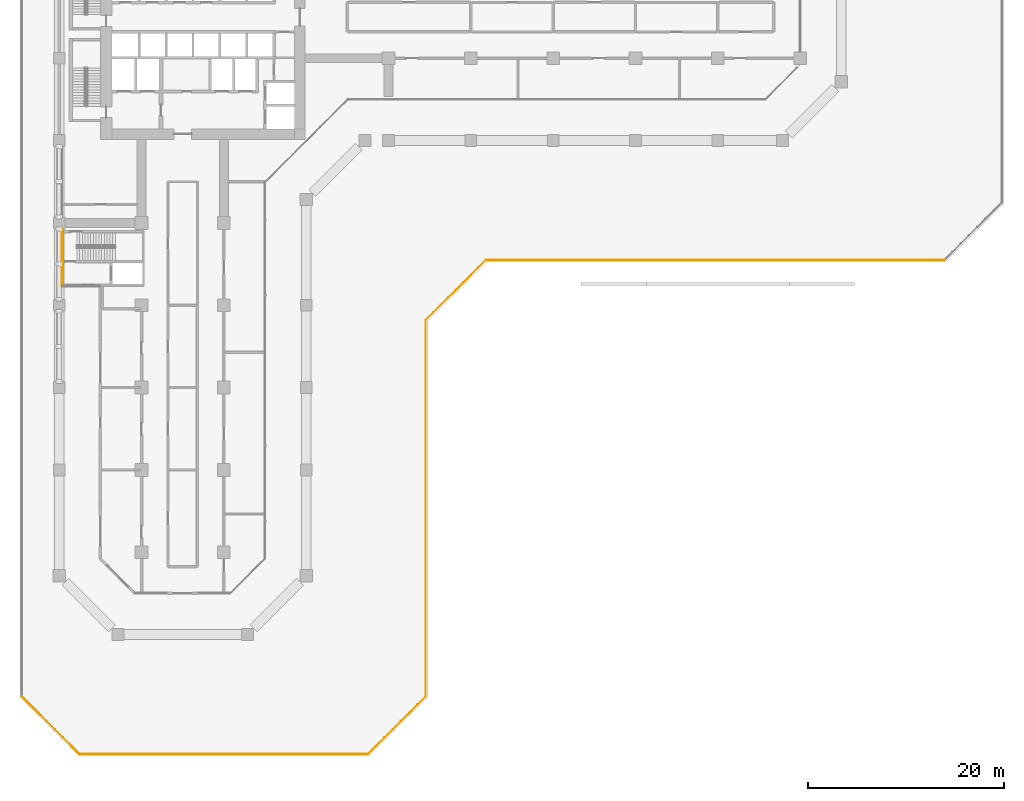
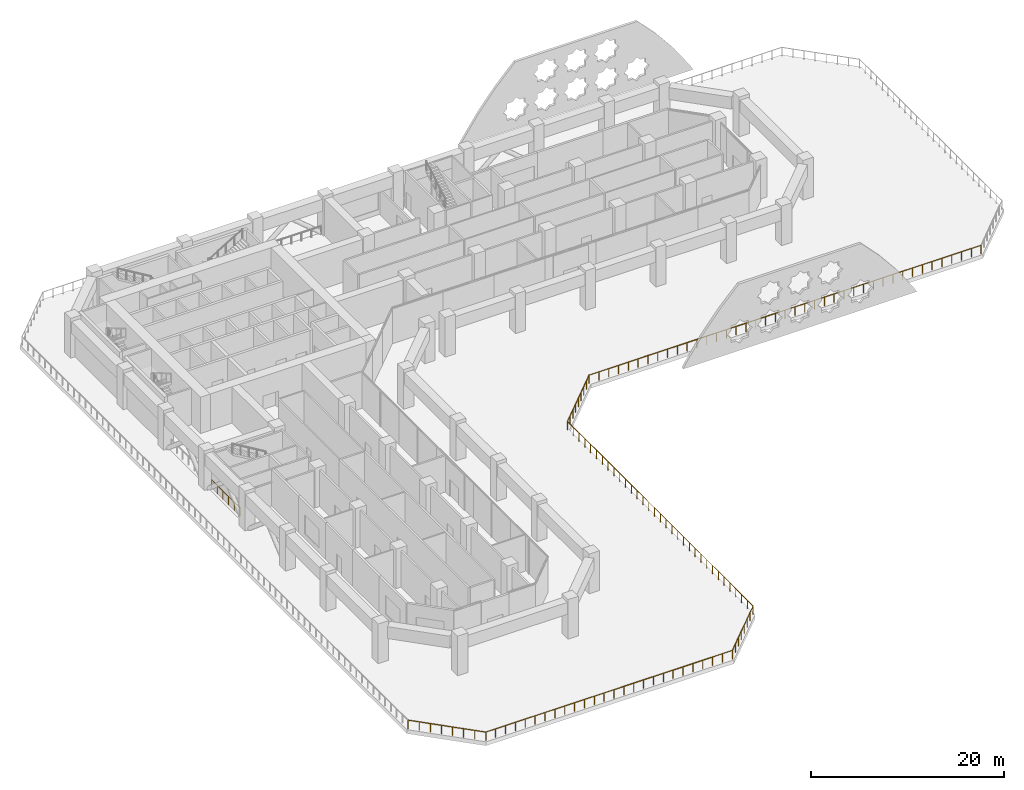
# One storey, part 13 of 19: 2 railings.
"""IFC4 building model written with IfcOpenShell, lengths in metres."""

from ifc_helpers import new_model, si_unit, direction, frame, origin, origin_2d, place, context, subcontext, project, spatial, circle, extrude, material, type_object, element, save


model = new_model("IFC4")

# Units and contexts
model_context = context("Model", 3, precision=1e-05, world=origin(), true_north=direction((0.0, 1.0)))
body_context = subcontext(model_context, "Body", "Model", "MODEL_VIEW")
ifc_project = project(units=[si_unit("LENGTHUNIT", "METRE"), si_unit("AREAUNIT", "SQUARE_METRE"), si_unit("VOLUMEUNIT", "CUBIC_METRE"), si_unit("PLANEANGLEUNIT", "RADIAN"), si_unit("MASSUNIT", "GRAM", prefix="KILO")], contexts=[model_context])

# Site, building, storey
site_placement = place(None, origin())
site = spatial("IfcSite", under=ifc_project, at=site_placement, CompositionType="ELEMENT")
building_placement = place(site_placement, origin())
building = spatial("IfcBuilding", under=site, at=building_placement, Name="Kawkab Arch Medical Tower", CompositionType="ELEMENT")
storey_placement = place(building_placement, frame((0.0, 0.0, 34.199951171875)))
storey = spatial("IfcBuildingStorey", under=building, at=storey_placement, Name="L07", CompositionType="ELEMENT", Elevation=34.199951171875)

# Railings
ifc_material = material(Name="Bronze anodised aluminium guard", Category="aluminium")
railing_type = type_object("IfcRailingType", Name="Loggia and terrace guard 1100", PredefinedType="GUARDRAIL", material=ifc_material)
railing_1_placement = place(storey_placement, frame((0.300048828125, -34.199951171875, 0.0)))
element("IfcRailing", 1, at=railing_1_placement, inside=storey, type_object=railing_type, Name="Band guard L07.R02.4", PredefinedType="GUARDRAIL", context=body_context, shape_type="SweptSolid", body=[
    extrude(circle(Radius=0.02392578125, at=origin_2d()), frame((0.0, 0.0, 1.076171875), z_axis=(0.0, -1.0, 0.0), x_axis=(1.0, 0.0, 0.0)), (0.0, 0.0, 1.0), 5.85009765625),
    extrude(circle(Radius=0.02099609375, at=origin_2d()), origin(), (0.0, 0.0, 1.0), 1.052001953125),
    extrude(circle(Radius=0.02099609375, at=origin_2d()), frame((0.0, -1.169921875, 0.0)), (0.0, 0.0, 1.0), 1.052001953125),
    extrude(circle(Radius=0.02099609375, at=origin_2d()), frame((0.0, -2.340087890625, 0.0)), (0.0, 0.0, 1.0), 1.052001953125),
    extrude(circle(Radius=0.02099609375, at=origin_2d()), frame((0.0, -3.510009765625, 0.0)), (0.0, 0.0, 1.0), 1.052001953125),
    extrude(circle(Radius=0.02099609375, at=origin_2d()), frame((0.0, -4.68017578125, 0.0)), (0.0, 0.0, 1.0), 1.052001953125),
    extrude(circle(Radius=0.02099609375, at=origin_2d()), frame((0.0, -5.85009765625, 0.0)), (0.0, 0.0, 1.0), 1.052001953125),
])
railing_2_placement = place(storey_placement, frame((90.319091796875, -37.39794921875, 0.0)))
element("IfcRailing", 2, at=railing_2_placement, inside=storey, type_object=railing_type, Name="Guard L07.REF-01.1.2", PredefinedType="GUARDRAIL", context=body_context, shape_type="SweptSolid", body=[
    extrude(circle(Radius=0.02392578125, at=origin_2d()), frame((0.0, 0.0, 1.076171875), z_axis=(-0.999999999129, -4.1731655e-05, 0.0), x_axis=(4.1731655e-05, -0.999999999129, 0.0)), (0.0, 0.0, 1.0), 46.802001953125),
    extrude(circle(Radius=0.02392578125, at=origin_2d()), frame((-46.802001953125, -0.001953125, 1.076171875), z_axis=(-0.707106781187, -0.707106781187, 0.0), x_axis=(0.707106781187, -0.707106781187, 0.0)), (0.0, 0.0, 1.0), 8.651123046875),
    extrude(circle(Radius=0.02392578125, at=origin_2d()), frame((-52.919189453125, -6.119140625, 1.076171875), z_axis=(0.0, -1.0, 0.0), x_axis=(1.0, 0.0, 0.0)), (0.0, 0.0, 1.0), 38.39990234375),
    extrude(circle(Radius=0.02392578125, at=origin_2d()), frame((-52.919189453125, -44.51904296875, 1.076171875), z_axis=(-0.707092103765, -0.707121458303, 0.0), x_axis=(0.707121458303, -0.707092103765, 0.0)), (0.0, 0.0, 1.0), 8.31689453125),
    extrude(circle(Radius=0.02392578125, at=origin_2d()), frame((-58.800048828125, -50.400146484375, 1.076171875), z_axis=(-0.999999997799, -6.6351497e-05, 0.0), x_axis=(6.6351497e-05, -0.999999997799, 0.0)), (0.0, 0.0, 1.0), 29.43603515625),
    extrude(circle(Radius=0.02392578125, at=origin_2d()), frame((-88.236083984375, -50.402099609375, 1.076171875), z_axis=(-0.707106781187, 0.707106781187, 0.0), x_axis=(-0.707106781187, -0.707106781187, 0.0)), (0.0, 0.0, 1.0), 8.31982421875),
    extrude(circle(Radius=0.02099609375, at=origin_2d()), origin(), (0.0, 0.0, 1.0), 1.052001953125),
    extrude(circle(Radius=0.02099609375, at=origin_2d()), frame((-1.170166015625, 0.0, 0.0)), (0.0, 0.0, 1.0), 1.052001953125),
    extrude(circle(Radius=0.02099609375, at=origin_2d()), frame((-2.340087890625, 0.0, 0.0)), (0.0, 0.0, 1.0), 1.052001953125),
    extrude(circle(Radius=0.02099609375, at=origin_2d()), frame((-3.51025390625, -0.000244140625, 0.0)), (0.0, 0.0, 1.0), 1.052001953125),
    extrude(circle(Radius=0.02099609375, at=origin_2d()), frame((-4.68017578125, -0.000244140625, 0.0)), (0.0, 0.0, 1.0), 1.052001953125),
    extrude(circle(Radius=0.02099609375, at=origin_2d()), frame((-5.850341796875, -0.000244140625, 0.0)), (0.0, 0.0, 1.0), 1.052001953125),
    extrude(circle(Radius=0.02099609375, at=origin_2d()), frame((-7.020263671875, -0.000244140625, 0.0)), (0.0, 0.0, 1.0), 1.052001953125),
    extrude(circle(Radius=0.02099609375, at=origin_2d()), frame((-8.1904296875, -0.000244140625, 0.0)), (0.0, 0.0, 1.0), 1.052001953125),
    extrude(circle(Radius=0.02099609375, at=origin_2d()), frame((-9.3603515625, -0.00048828125, 0.0)), (0.0, 0.0, 1.0), 1.052001953125),
    extrude(circle(Radius=0.02099609375, at=origin_2d()), frame((-10.530517578125, -0.00048828125, 0.0)), (0.0, 0.0, 1.0), 1.052001953125),
    extrude(circle(Radius=0.02099609375, at=origin_2d()), frame((-11.700439453125, -0.00048828125, 0.0)), (0.0, 0.0, 1.0), 1.052001953125),
    extrude(circle(Radius=0.02099609375, at=origin_2d()), frame((-12.87060546875, -0.00048828125, 0.0)), (0.0, 0.0, 1.0), 1.052001953125),
    extrude(circle(Radius=0.02099609375, at=origin_2d()), frame((-14.04052734375, -0.00048828125, 0.0)), (0.0, 0.0, 1.0), 1.052001953125),
    extrude(circle(Radius=0.02099609375, at=origin_2d()), frame((-15.210693359375, -0.000732421875, 0.0)), (0.0, 0.0, 1.0), 1.052001953125),
    extrude(circle(Radius=0.02099609375, at=origin_2d()), frame((-16.380615234375, -0.000732421875, 0.0)), (0.0, 0.0, 1.0), 1.052001953125),
    extrude(circle(Radius=0.02099609375, at=origin_2d()), frame((-17.55078125, -0.000732421875, 0.0)), (0.0, 0.0, 1.0), 1.052001953125),
    extrude(circle(Radius=0.02099609375, at=origin_2d()), frame((-18.720703125, -0.000732421875, 0.0)), (0.0, 0.0, 1.0), 1.052001953125),
    extrude(circle(Radius=0.02099609375, at=origin_2d()), frame((-19.890869140625, -0.000732421875, 0.0)), (0.0, 0.0, 1.0), 1.052001953125),
    extrude(circle(Radius=0.02099609375, at=origin_2d()), frame((-21.060791015625, -0.0009765625, 0.0)), (0.0, 0.0, 1.0), 1.052001953125),
    extrude(circle(Radius=0.02099609375, at=origin_2d()), frame((-22.23095703125, -0.0009765625, 0.0)), (0.0, 0.0, 1.0), 1.052001953125),
    extrude(circle(Radius=0.02099609375, at=origin_2d()), frame((-23.40087890625, -0.0009765625, 0.0)), (0.0, 0.0, 1.0), 1.052001953125),
    extrude(circle(Radius=0.02099609375, at=origin_2d()), frame((-24.571044921875, -0.0009765625, 0.0)), (0.0, 0.0, 1.0), 1.052001953125),
    extrude(circle(Radius=0.02099609375, at=origin_2d()), frame((-25.7412109375, -0.0009765625, 0.0)), (0.0, 0.0, 1.0), 1.052001953125),
    extrude(circle(Radius=0.02099609375, at=origin_2d()), frame((-26.9111328125, -0.001220703125, 0.0)), (0.0, 0.0, 1.0), 1.052001953125),
    extrude(circle(Radius=0.02099609375, at=origin_2d()), frame((-28.081298828125, -0.001220703125, 0.0)), (0.0, 0.0, 1.0), 1.052001953125),
    extrude(circle(Radius=0.02099609375, at=origin_2d()), frame((-29.251220703125, -0.001220703125, 0.0)), (0.0, 0.0, 1.0), 1.052001953125),
    extrude(circle(Radius=0.02099609375, at=origin_2d()), frame((-30.42138671875, -0.001220703125, 0.0)), (0.0, 0.0, 1.0), 1.052001953125),
    extrude(circle(Radius=0.02099609375, at=origin_2d()), frame((-31.59130859375, -0.001220703125, 0.0)), (0.0, 0.0, 1.0), 1.052001953125),
    extrude(circle(Radius=0.02099609375, at=origin_2d()), frame((-32.761474609375, -0.00146484375, 0.0)), (0.0, 0.0, 1.0), 1.052001953125),
    extrude(circle(Radius=0.02099609375, at=origin_2d()), frame((-33.931396484375, -0.00146484375, 0.0)), (0.0, 0.0, 1.0), 1.052001953125),
    extrude(circle(Radius=0.02099609375, at=origin_2d()), frame((-35.1015625, -0.00146484375, 0.0)), (0.0, 0.0, 1.0), 1.052001953125),
    extrude(circle(Radius=0.02099609375, at=origin_2d()), frame((-36.271484375, -0.00146484375, 0.0)), (0.0, 0.0, 1.0), 1.052001953125),
    extrude(circle(Radius=0.02099609375, at=origin_2d()), frame((-37.441650390625, -0.00146484375, 0.0)), (0.0, 0.0, 1.0), 1.052001953125),
    extrude(circle(Radius=0.02099609375, at=origin_2d()), frame((-38.611572265625, -0.001708984375, 0.0)), (0.0, 0.0, 1.0), 1.052001953125),
    extrude(circle(Radius=0.02099609375, at=origin_2d()), frame((-39.78173828125, -0.001708984375, 0.0)), (0.0, 0.0, 1.0), 1.052001953125),
    extrude(circle(Radius=0.02099609375, at=origin_2d()), frame((-40.95166015625, -0.001708984375, 0.0)), (0.0, 0.0, 1.0), 1.052001953125),
    extrude(circle(Radius=0.02099609375, at=origin_2d()), frame((-42.121826171875, -0.001708984375, 0.0)), (0.0, 0.0, 1.0), 1.052001953125),
    extrude(circle(Radius=0.02099609375, at=origin_2d()), frame((-43.291748046875, -0.001708984375, 0.0)), (0.0, 0.0, 1.0), 1.052001953125),
    extrude(circle(Radius=0.02099609375, at=origin_2d()), frame((-44.4619140625, -0.001953125, 0.0)), (0.0, 0.0, 1.0), 1.052001953125),
    extrude(circle(Radius=0.02099609375, at=origin_2d()), frame((-45.6318359375, -0.001953125, 0.0)), (0.0, 0.0, 1.0), 1.052001953125),
    extrude(circle(Radius=0.02099609375, at=origin_2d()), frame((-46.802001953125, -0.001953125, 0.0)), (0.0, 0.0, 1.0), 1.052001953125),
    extrude(circle(Radius=0.02099609375, at=origin_2d()), frame((-47.566650390625, -0.7666015625, 0.0)), (0.0, 0.0, 1.0), 1.052001953125),
    extrude(circle(Radius=0.02099609375, at=origin_2d()), frame((-48.331298828125, -1.53125, 0.0)), (0.0, 0.0, 1.0), 1.052001953125),
    extrude(circle(Radius=0.02099609375, at=origin_2d()), frame((-49.095947265625, -2.2958984375, 0.0)), (0.0, 0.0, 1.0), 1.052001953125),
    extrude(circle(Radius=0.02099609375, at=origin_2d()), frame((-49.860595703125, -3.060546875, 0.0)), (0.0, 0.0, 1.0), 1.052001953125),
    extrude(circle(Radius=0.02099609375, at=origin_2d()), frame((-50.625244140625, -3.8251953125, 0.0)), (0.0, 0.0, 1.0), 1.052001953125),
    extrude(circle(Radius=0.02099609375, at=origin_2d()), frame((-51.389892578125, -4.58984375, 0.0)), (0.0, 0.0, 1.0), 1.052001953125),
    extrude(circle(Radius=0.02099609375, at=origin_2d()), frame((-52.154541015625, -5.3544921875, 0.0)), (0.0, 0.0, 1.0), 1.052001953125),
    extrude(circle(Radius=0.02099609375, at=origin_2d()), frame((-52.919189453125, -6.119140625, 0.0)), (0.0, 0.0, 1.0), 1.052001953125),
    extrude(circle(Radius=0.02099609375, at=origin_2d()), frame((-52.919189453125, -7.319091796875, 0.0)), (0.0, 0.0, 1.0), 1.052001953125),
    extrude(circle(Radius=0.02099609375, at=origin_2d()), frame((-52.919189453125, -8.51904296875, 0.0)), (0.0, 0.0, 1.0), 1.052001953125),
    extrude(circle(Radius=0.02099609375, at=origin_2d()), frame((-52.919189453125, -9.71923828125, 0.0)), (0.0, 0.0, 1.0), 1.052001953125),
    extrude(circle(Radius=0.02099609375, at=origin_2d()), frame((-52.919189453125, -10.919189453125, 0.0)), (0.0, 0.0, 1.0), 1.052001953125),
    extrude(circle(Radius=0.02099609375, at=origin_2d()), frame((-52.919189453125, -12.119140625, 0.0)), (0.0, 0.0, 1.0), 1.052001953125),
    extrude(circle(Radius=0.02099609375, at=origin_2d()), frame((-52.919189453125, -13.319091796875, 0.0)), (0.0, 0.0, 1.0), 1.052001953125),
    extrude(circle(Radius=0.02099609375, at=origin_2d()), frame((-52.919189453125, -14.51904296875, 0.0)), (0.0, 0.0, 1.0), 1.052001953125),
    extrude(circle(Radius=0.02099609375, at=origin_2d()), frame((-52.919189453125, -15.71923828125, 0.0)), (0.0, 0.0, 1.0), 1.052001953125),
    extrude(circle(Radius=0.02099609375, at=origin_2d()), frame((-52.919189453125, -16.919189453125, 0.0)), (0.0, 0.0, 1.0), 1.052001953125),
    extrude(circle(Radius=0.02099609375, at=origin_2d()), frame((-52.919189453125, -18.119140625, 0.0)), (0.0, 0.0, 1.0), 1.052001953125),
    extrude(circle(Radius=0.02099609375, at=origin_2d()), frame((-52.919189453125, -19.319091796875, 0.0)), (0.0, 0.0, 1.0), 1.052001953125),
    extrude(circle(Radius=0.02099609375, at=origin_2d()), frame((-52.919189453125, -20.51904296875, 0.0)), (0.0, 0.0, 1.0), 1.052001953125),
    extrude(circle(Radius=0.02099609375, at=origin_2d()), frame((-52.919189453125, -21.718994140625, 0.0)), (0.0, 0.0, 1.0), 1.052001953125),
    extrude(circle(Radius=0.02099609375, at=origin_2d()), frame((-52.919189453125, -22.919189453125, 0.0)), (0.0, 0.0, 1.0), 1.052001953125),
    extrude(circle(Radius=0.02099609375, at=origin_2d()), frame((-52.919189453125, -24.119140625, 0.0)), (0.0, 0.0, 1.0), 1.052001953125),
    extrude(circle(Radius=0.02099609375, at=origin_2d()), frame((-52.919189453125, -25.319091796875, 0.0)), (0.0, 0.0, 1.0), 1.052001953125),
    extrude(circle(Radius=0.02099609375, at=origin_2d()), frame((-52.919189453125, -26.51904296875, 0.0)), (0.0, 0.0, 1.0), 1.052001953125),
    extrude(circle(Radius=0.02099609375, at=origin_2d()), frame((-52.919189453125, -27.718994140625, 0.0)), (0.0, 0.0, 1.0), 1.052001953125),
    extrude(circle(Radius=0.02099609375, at=origin_2d()), frame((-52.919189453125, -28.919189453125, 0.0)), (0.0, 0.0, 1.0), 1.052001953125),
    extrude(circle(Radius=0.02099609375, at=origin_2d()), frame((-52.919189453125, -30.119140625, 0.0)), (0.0, 0.0, 1.0), 1.052001953125),
    extrude(circle(Radius=0.02099609375, at=origin_2d()), frame((-52.919189453125, -31.319091796875, 0.0)), (0.0, 0.0, 1.0), 1.052001953125),
    extrude(circle(Radius=0.02099609375, at=origin_2d()), frame((-52.919189453125, -32.51904296875, 0.0)), (0.0, 0.0, 1.0), 1.052001953125),
    extrude(circle(Radius=0.02099609375, at=origin_2d()), frame((-52.919189453125, -33.718994140625, 0.0)), (0.0, 0.0, 1.0), 1.052001953125),
    extrude(circle(Radius=0.02099609375, at=origin_2d()), frame((-52.919189453125, -34.9189453125, 0.0)), (0.0, 0.0, 1.0), 1.052001953125),
    extrude(circle(Radius=0.02099609375, at=origin_2d()), frame((-52.919189453125, -36.119140625, 0.0)), (0.0, 0.0, 1.0), 1.052001953125),
    extrude(circle(Radius=0.02099609375, at=origin_2d()), frame((-52.919189453125, -37.319091796875, 0.0)), (0.0, 0.0, 1.0), 1.052001953125),
    extrude(circle(Radius=0.02099609375, at=origin_2d()), frame((-52.919189453125, -38.51904296875, 0.0)), (0.0, 0.0, 1.0), 1.052001953125),
    extrude(circle(Radius=0.02099609375, at=origin_2d()), frame((-52.919189453125, -39.718994140625, 0.0)), (0.0, 0.0, 1.0), 1.052001953125),
    extrude(circle(Radius=0.02099609375, at=origin_2d()), frame((-52.919189453125, -40.9189453125, 0.0)), (0.0, 0.0, 1.0), 1.052001953125),
    extrude(circle(Radius=0.02099609375, at=origin_2d()), frame((-52.919189453125, -42.119140625, 0.0)), (0.0, 0.0, 1.0), 1.052001953125),
    extrude(circle(Radius=0.02099609375, at=origin_2d()), frame((-52.919189453125, -43.319091796875, 0.0)), (0.0, 0.0, 1.0), 1.052001953125),
    extrude(circle(Radius=0.02099609375, at=origin_2d()), frame((-52.919189453125, -44.51904296875, 0.0)), (0.0, 0.0, 1.0), 1.052001953125),
    extrude(circle(Radius=0.02099609375, at=origin_2d()), frame((-53.75927734375, -45.359130859375, 0.0)), (0.0, 0.0, 1.0), 1.052001953125),
    extrude(circle(Radius=0.02099609375, at=origin_2d()), frame((-54.599365234375, -46.199462890625, 0.0)), (0.0, 0.0, 1.0), 1.052001953125),
    extrude(circle(Radius=0.02099609375, at=origin_2d()), frame((-55.439453125, -47.03955078125, 0.0)), (0.0, 0.0, 1.0), 1.052001953125),
    extrude(circle(Radius=0.02099609375, at=origin_2d()), frame((-56.27978515625, -47.879638671875, 0.0)), (0.0, 0.0, 1.0), 1.052001953125),
    extrude(circle(Radius=0.02099609375, at=origin_2d()), frame((-57.119873046875, -48.7197265625, 0.0)), (0.0, 0.0, 1.0), 1.052001953125),
    extrude(circle(Radius=0.02099609375, at=origin_2d()), frame((-57.9599609375, -49.56005859375, 0.0)), (0.0, 0.0, 1.0), 1.052001953125),
    extrude(circle(Radius=0.02099609375, at=origin_2d()), frame((-58.800048828125, -50.400146484375, 0.0)), (0.0, 0.0, 1.0), 1.052001953125),
    extrude(circle(Radius=0.02099609375, at=origin_2d()), frame((-59.9775390625, -50.400146484375, 0.0)), (0.0, 0.0, 1.0), 1.052001953125),
    extrude(circle(Radius=0.02099609375, at=origin_2d()), frame((-61.155029296875, -50.400390625, 0.0)), (0.0, 0.0, 1.0), 1.052001953125),
    extrude(circle(Radius=0.02099609375, at=origin_2d()), frame((-62.332275390625, -50.400390625, 0.0)), (0.0, 0.0, 1.0), 1.052001953125),
    extrude(circle(Radius=0.02099609375, at=origin_2d()), frame((-63.509765625, -50.400390625, 0.0)), (0.0, 0.0, 1.0), 1.052001953125),
    extrude(circle(Radius=0.02099609375, at=origin_2d()), frame((-64.687255859375, -50.400634765625, 0.0)), (0.0, 0.0, 1.0), 1.052001953125),
    extrude(circle(Radius=0.02099609375, at=origin_2d()), frame((-65.86474609375, -50.400634765625, 0.0)), (0.0, 0.0, 1.0), 1.052001953125),
    extrude(circle(Radius=0.02099609375, at=origin_2d()), frame((-67.042236328125, -50.400634765625, 0.0)), (0.0, 0.0, 1.0), 1.052001953125),
    extrude(circle(Radius=0.02099609375, at=origin_2d()), frame((-68.219482421875, -50.40087890625, 0.0)), (0.0, 0.0, 1.0), 1.052001953125),
    extrude(circle(Radius=0.02099609375, at=origin_2d()), frame((-69.39697265625, -50.40087890625, 0.0)), (0.0, 0.0, 1.0), 1.052001953125),
    extrude(circle(Radius=0.02099609375, at=origin_2d()), frame((-70.574462890625, -50.40087890625, 0.0)), (0.0, 0.0, 1.0), 1.052001953125),
    extrude(circle(Radius=0.02099609375, at=origin_2d()), frame((-71.751953125, -50.401123046875, 0.0)), (0.0, 0.0, 1.0), 1.052001953125),
    extrude(circle(Radius=0.02099609375, at=origin_2d()), frame((-72.929443359375, -50.401123046875, 0.0)), (0.0, 0.0, 1.0), 1.052001953125),
    extrude(circle(Radius=0.02099609375, at=origin_2d()), frame((-74.106689453125, -50.401123046875, 0.0)), (0.0, 0.0, 1.0), 1.052001953125),
    extrude(circle(Radius=0.02099609375, at=origin_2d()), frame((-75.2841796875, -50.401123046875, 0.0)), (0.0, 0.0, 1.0), 1.052001953125),
    extrude(circle(Radius=0.02099609375, at=origin_2d()), frame((-76.461669921875, -50.4013671875, 0.0)), (0.0, 0.0, 1.0), 1.052001953125),
    extrude(circle(Radius=0.02099609375, at=origin_2d()), frame((-77.63916015625, -50.4013671875, 0.0)), (0.0, 0.0, 1.0), 1.052001953125),
    extrude(circle(Radius=0.02099609375, at=origin_2d()), frame((-78.816650390625, -50.4013671875, 0.0)), (0.0, 0.0, 1.0), 1.052001953125),
    extrude(circle(Radius=0.02099609375, at=origin_2d()), frame((-79.993896484375, -50.401611328125, 0.0)), (0.0, 0.0, 1.0), 1.052001953125),
    extrude(circle(Radius=0.02099609375, at=origin_2d()), frame((-81.17138671875, -50.401611328125, 0.0)), (0.0, 0.0, 1.0), 1.052001953125),
    extrude(circle(Radius=0.02099609375, at=origin_2d()), frame((-82.348876953125, -50.401611328125, 0.0)), (0.0, 0.0, 1.0), 1.052001953125),
    extrude(circle(Radius=0.02099609375, at=origin_2d()), frame((-83.5263671875, -50.40185546875, 0.0)), (0.0, 0.0, 1.0), 1.052001953125),
    extrude(circle(Radius=0.02099609375, at=origin_2d()), frame((-84.703857421875, -50.40185546875, 0.0)), (0.0, 0.0, 1.0), 1.052001953125),
    extrude(circle(Radius=0.02099609375, at=origin_2d()), frame((-85.881103515625, -50.40185546875, 0.0)), (0.0, 0.0, 1.0), 1.052001953125),
    extrude(circle(Radius=0.02099609375, at=origin_2d()), frame((-87.05859375, -50.402099609375, 0.0)), (0.0, 0.0, 1.0), 1.052001953125),
    extrude(circle(Radius=0.02099609375, at=origin_2d()), frame((-88.236083984375, -50.402099609375, 0.0)), (0.0, 0.0, 1.0), 1.052001953125),
    extrude(circle(Radius=0.02099609375, at=origin_2d()), frame((-89.076416015625, -49.561767578125, 0.0)), (0.0, 0.0, 1.0), 1.052001953125),
    extrude(circle(Radius=0.02099609375, at=origin_2d()), frame((-89.9169921875, -48.72119140625, 0.0)), (0.0, 0.0, 1.0), 1.052001953125),
    extrude(circle(Radius=0.02099609375, at=origin_2d()), frame((-90.75732421875, -47.880859375, 0.0)), (0.0, 0.0, 1.0), 1.052001953125),
    extrude(circle(Radius=0.02099609375, at=origin_2d()), frame((-91.597900390625, -47.040283203125, 0.0)), (0.0, 0.0, 1.0), 1.052001953125),
    extrude(circle(Radius=0.02099609375, at=origin_2d()), frame((-92.438232421875, -46.199951171875, 0.0)), (0.0, 0.0, 1.0), 1.052001953125),
    extrude(circle(Radius=0.02099609375, at=origin_2d()), frame((-93.27880859375, -45.359375, 0.0)), (0.0, 0.0, 1.0), 1.052001953125),
    extrude(circle(Radius=0.02099609375, at=origin_2d()), frame((-94.119140625, -44.51904296875, 0.0)), (0.0, 0.0, 1.0), 1.052001953125),
])

save(model, "model.ifc")
